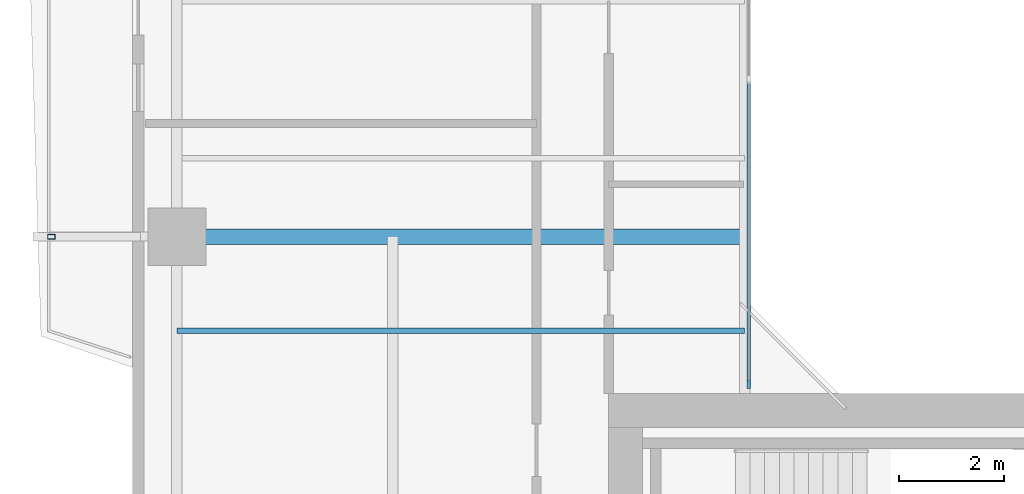
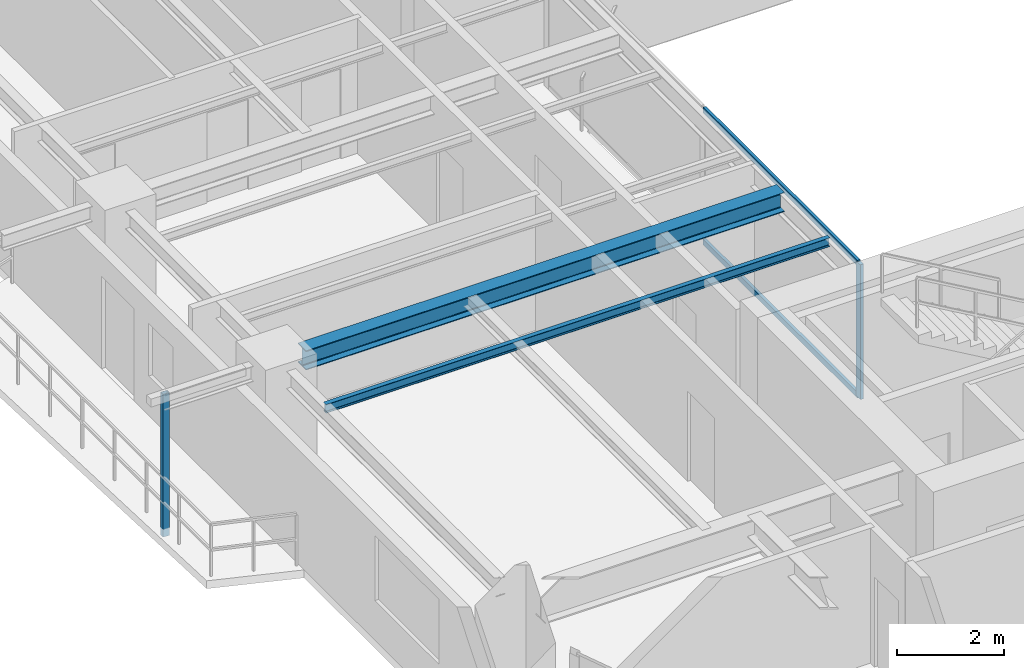
# One storey, part 3 of 17: 4 members, 2 beams, 1 element without a shape of its own.
"""IFC4 building model written with IfcOpenShell, lengths in metres."""

import ifcopenshell
import ifcopenshell.guid

model = None  # the IFC model being written
_history = None  # IfcOwnerHistory: only IFC2X3 demands one
_inside = {}  # id of a spatial element -> (the spatial element, [elements in it])
_under = {}  # id of a project, library or spatial element -> (it, [spatial elements below it])
_declared = {}  # id of a project -> (the project, [libraries it declares])
_typed = {}  # id of a type object -> (the type object, [elements of that type])
_made_of = {}  # id of a material, layer set ... -> (it, [elements and type objects made of it])


def new_model(schema):
    """Start an empty IFC model of exactly this schema.

    Asked for "IFC4X3", IfcOpenShell would pick the latest addendum, in which some entities
    have other attributes; the version numbers below select the first issue.
    IFC2X3 requires an IfcOwnerHistory on every rooted entity: one is made here for all.
    """
    global model, _history
    if schema == "IFC4X3":
        model = ifcopenshell.file(schema_version=(4, 3, 0, 0))
    else:
        model = ifcopenshell.file(schema=schema)
    _inside.clear()
    _under.clear()
    _declared.clear()
    _typed.clear()
    _made_of.clear()
    _history = None
    if model.schema == "IFC2X3":
        org = make("IfcOrganization", Name="unknown")
        user = make(
            "IfcPersonAndOrganization",
            ThePerson=make("IfcPerson", FamilyName="unknown"),
            TheOrganization=org,
        )
        app = make(
            "IfcApplication",
            ApplicationDeveloper=org,
            Version="unknown",
            ApplicationFullName="unknown",
            ApplicationIdentifier="unknown",
        )
        _history = make(
            "IfcOwnerHistory",
            OwningUser=user,
            OwningApplication=app,
            ChangeAction="ADDED",
            CreationDate=0,
        )
    return model


def make(cls, **values):
    """One entity of the class cls with the attributes given. An attribute that is None is left unset."""
    return model.create_entity(
        cls, **{name: value for name, value in values.items() if value is not None}
    )


def rooted(cls, **values):
    """An entity with a GlobalId (a new one), such as an element, a storey or a relation."""
    return make(cls, GlobalId=ifcopenshell.guid.new(), OwnerHistory=_history, **values)


def si_unit(unit_type, name, prefix=None):
    """IfcSIUnit, for example si_unit("LENGTHUNIT", "METRE", prefix="MILLI")."""
    return make("IfcSIUnit", UnitType=unit_type, Prefix=prefix, Name=name)


def assignment(units):
    """IfcUnitAssignment: the units of a project."""
    return None if units is None else make("IfcUnitAssignment", Units=units)


def point(xyz):
    """IfcCartesianPoint."""
    return None if xyz is None else make("IfcCartesianPoint", Coordinates=xyz)


def direction(xyz):
    """IfcDirection."""
    return None if xyz is None else make("IfcDirection", DirectionRatios=xyz)


def frame(location, z_axis=None, x_axis=None):
    """IfcAxis2Placement3D, a coordinate frame: its origin and axes. An axis left out is left unset."""
    return make(
        "IfcAxis2Placement3D",
        Location=point(location),
        Axis=direction(z_axis),
        RefDirection=direction(x_axis),
    )


def frame_2d(location, x_axis=None):
    """IfcAxis2Placement2D, a coordinate frame in the plane: its origin and x axis."""
    return make(
        "IfcAxis2Placement2D", Location=point(location), RefDirection=direction(x_axis)
    )


def origin():
    """The frame at (0, 0, 0) with its axes left unset."""
    return frame((0.0, 0.0, 0.0))


def origin_2d():
    """The frame at (0, 0) in the plane with its x axis left unset."""
    return frame_2d((0.0, 0.0))


def place(relative_to, where):
    """IfcLocalPlacement: puts the frame where relative to a parent placement (None: the world)."""
    return make(
        "IfcLocalPlacement", PlacementRelTo=relative_to, RelativePlacement=where
    )


def context(
    kind, dimensions, precision=None, world=None, true_north=None, identifier=None
):
    """IfcGeometricRepresentationContext, for example the 3D "Model" context."""
    return make(
        "IfcGeometricRepresentationContext",
        ContextIdentifier=identifier,
        ContextType=kind,
        CoordinateSpaceDimension=dimensions,
        Precision=precision,
        WorldCoordinateSystem=world,
        TrueNorth=true_north,
    )


def subcontext(parent, identifier, kind, view, scale=None):
    """IfcGeometricRepresentationSubContext, for example "Body" below "Model"."""
    return make(
        "IfcGeometricRepresentationSubContext",
        ContextIdentifier=identifier,
        ContextType=kind,
        ParentContext=parent,
        TargetScale=scale,
        TargetView=view,
    )


def project(units=None, contexts=None):
    """IfcProject with its units and contexts."""
    return rooted(
        "IfcProject",
        Name="project",
        RepresentationContexts=contexts,
        UnitsInContext=assignment(units),
    )


def spatial(cls, under=None, at=None, **own):
    """A site, building, storey or space (cls), placed at a placement, below another one or the project."""
    s = rooted(cls, ObjectPlacement=at, **own)
    if under is not None:
        _under.setdefault(under.id(), (under, []))[1].append(s)
    return s


def profile(cls, at=None, kind="AREA", **sizes):
    """A parametric profile (cls). Its sizes go by their IFC names, for example OverallWidth=200.0."""
    return make(cls, ProfileType=kind, Position=at, **sizes)


def rectangle(**sizes):
    """IfcRectangleProfileDef."""
    return profile("IfcRectangleProfileDef", **sizes)


def hollow_rectangle(**sizes):
    """IfcRectangleHollowProfileDef."""
    return profile("IfcRectangleHollowProfileDef", **sizes)


def i_section(**sizes):
    """IfcIShapeProfileDef."""
    return profile("IfcIShapeProfileDef", **sizes)


def extrude(swept, where, along, depth):
    """IfcExtrudedAreaSolid: the profile swept, set in the frame where, extruded along a direction by depth."""
    return make(
        "IfcExtrudedAreaSolid",
        SweptArea=swept,
        Position=where,
        ExtrudedDirection=direction(along),
        Depth=depth,
    )


def shape(context_of_items, identifier, shape_type, items):
    """IfcShapeRepresentation: the items that make up one representation, for example the "Body"."""
    return make(
        "IfcShapeRepresentation",
        ContextOfItems=context_of_items,
        RepresentationIdentifier=identifier,
        RepresentationType=shape_type,
        Items=items,
    )


def source(mapping_origin, context_of_items, identifier, shape_type, items):
    """IfcRepresentationMap: a shape defined once, which mapped items show again and again."""
    return make(
        "IfcRepresentationMap",
        MappingOrigin=mapping_origin,
        MappedRepresentation=shape(context_of_items, identifier, shape_type, items),
    )


def transform(
    local_origin,
    x_axis=None,
    y_axis=None,
    z_axis=None,
    scale=None,
    scale2=None,
    scale3=None,
    uniform=True,
):
    """IfcCartesianTransformationOperator3D, or its non-uniform kind. x_axis, y_axis, z_axis: its Axis1, 2, 3."""
    if uniform:
        return make(
            "IfcCartesianTransformationOperator3D",
            Axis1=direction(x_axis),
            Axis2=direction(y_axis),
            LocalOrigin=point(local_origin),
            Scale=scale,
            Axis3=direction(z_axis),
        )
    return make(
        "IfcCartesianTransformationOperator3DnonUniform",
        Axis1=direction(x_axis),
        Axis2=direction(y_axis),
        LocalOrigin=point(local_origin),
        Scale=scale,
        Axis3=direction(z_axis),
        Scale2=scale2,
        Scale3=scale3,
    )


def mapped(mapping_source, mapping_target):
    """IfcMappedItem: shows the shape of a source again, moved by a transform."""
    return make(
        "IfcMappedItem", MappingSource=mapping_source, MappingTarget=mapping_target
    )


def material(Name=None, Category=None):
    """IfcMaterial."""
    return make("IfcMaterial", Name=Name, Category=Category)


def layer(
    of_material, thickness, ventilated=None, Name=None, Category=None, Priority=None
):
    """IfcMaterialLayer: one layer of a wall or slab, of a material (None: an air gap)."""
    return make(
        "IfcMaterialLayer",
        Material=of_material,
        LayerThickness=thickness,
        IsVentilated=ventilated,
        Name=Name,
        Category=Category,
        Priority=Priority,
    )


def layer_set(layers, Name=None):
    """IfcMaterialLayerSet."""
    return make("IfcMaterialLayerSet", MaterialLayers=layers, LayerSetName=Name)


def material_profile(
    of_material, cross_section, Name=None, Category=None, Priority=None
):
    """IfcMaterialProfile: a cross section and its material."""
    return make(
        "IfcMaterialProfile",
        Name=Name,
        Material=of_material,
        Profile=cross_section,
        Priority=Priority,
        Category=Category,
    )


def profile_set(profiles, Name=None, composite=None):
    """IfcMaterialProfileSet."""
    return make(
        "IfcMaterialProfileSet",
        Name=Name,
        MaterialProfiles=profiles,
        CompositeProfile=composite,
    )


def made_of(thing, what):
    """Note that an element or type object is made of a material, layer set ...; save() writes the relation."""
    if what is not None:
        _made_of.setdefault(what.id(), (what, []))[1].append(thing)
    return thing


def type_object(cls, material=None, **own):
    """A type object (cls), such as IfcWallType, which elements share."""
    return made_of(rooted(cls, **own), material)


def element(
    cls,
    number,
    at=None,
    inside=None,
    cuts=None,
    type_object=None,
    material=None,
    context=None,
    identifier="Body",
    shape_type=None,
    held_by="IfcProductDefinitionShape",
    body=None,
    shapes=None,
    **own,
):
    """One element of the class cls, such as IfcWall. Its Tag is "e" and its number.

    at: its placement. inside: the storey or other place that contains it. cuts: it is an
    opening in that element (IfcRelVoidsElement). A single representation is given by context,
    identifier, shape_type and body (its items); several are given by shapes. held_by: the class
    of the entity that holds the representations. save() writes the other relations.
    """
    e = rooted(cls, Tag="e%d" % number, ObjectPlacement=at, **own)
    if body is not None:
        shapes = [shape(context, identifier, shape_type, body)]
    if shapes is not None:
        e.Representation = make(held_by, Representations=shapes)
    if inside is not None:
        _inside.setdefault(inside.id(), (inside, []))[1].append(e)
    if cuts is not None:
        rooted(
            "IfcRelVoidsElement", RelatingBuildingElement=cuts, RelatedOpeningElement=e
        )
    if type_object is not None:
        _typed.setdefault(type_object.id(), (type_object, []))[1].append(e)
    return made_of(e, material)


def aggregate(whole, parts):
    """IfcRelAggregates: a whole, such as a stair, and the parts it consists of."""
    return rooted("IfcRelAggregates", RelatingObject=whole, RelatedObjects=parts)


def save(model, path):
    """Write the relations noted so far, then the file.

    IfcRelAggregates (storeys below a building ...), IfcRelContainedInSpatialStructure (elements
    in a storey), IfcRelDefinesByType, IfcRelAssociatesMaterial and IfcRelDeclares: one each for
    every whole, place, type object, material and project.
    """
    for whole, parts in _under.values():
        aggregate(whole, parts)
    for where, things in _inside.values():
        rooted(
            "IfcRelContainedInSpatialStructure",
            RelatedElements=things,
            RelatingStructure=where,
        )
    for kind, things in _typed.values():
        rooted("IfcRelDefinesByType", RelatedObjects=things, RelatingType=kind)
    for what, things in _made_of.values():
        rooted("IfcRelAssociatesMaterial", RelatedObjects=things, RelatingMaterial=what)
    for by, libraries in _declared.values():
        rooted("IfcRelDeclares", RelatingContext=by, RelatedDefinitions=libraries)
    model.write(path)


model = new_model("IFC4")

# Units and contexts
model_context = context("Model", 3, precision=1e-05, world=origin(), true_north=direction((0.0, 1.0)))
body_context = subcontext(model_context, "Body", "Model", "MODEL_VIEW")
ifc_project = project(units=[si_unit("LENGTHUNIT", "METRE"), si_unit("AREAUNIT", "SQUARE_METRE"), si_unit("VOLUMEUNIT", "CUBIC_METRE"), si_unit("PLANEANGLEUNIT", "RADIAN"), si_unit("MASSUNIT", "GRAM", prefix="KILO"), si_unit("THERMODYNAMICTEMPERATUREUNIT", "KELVIN"), si_unit("POWERUNIT", "WATT")], contexts=[model_context])

# Site, building, storey
site_placement = place(None, origin())
site = spatial("IfcSite", under=ifc_project, at=site_placement, CompositionType="ELEMENT")
building_placement = place(site_placement, origin())
building = spatial("IfcBuilding", under=site, at=building_placement, Name="Qiaomeng Ring Towers", CompositionType="ELEMENT")
storey_placement = place(building_placement, frame((0.0, 0.0, 132.75)))
storey = spatial("IfcBuildingStorey", under=building, at=storey_placement, Name="L38", CompositionType="ELEMENT", Elevation=132.75)

# Beams
ifc_material_1 = material(Name="Steel Q355B", Category="steel")
ifc_material_profile_1 = material_profile(ifc_material_1, i_section(OverallWidth=0.300048828125, OverallDepth=0.43994140625, WebThickness=0.010986328125, FlangeThickness=0.01806640625, FilletRadius=0.02392578125, at=origin_2d()), Name="HM 440x300x11x18")
ifc_profile_set_1 = profile_set([ifc_material_profile_1], Name="Steel Q355B")
beam_type_1 = type_object("IfcBeamType", Name="STR-BM-HM440", PredefinedType="BEAM", material=ifc_profile_set_1)
shared_shape_1 = source(origin(), body_context, "Body", "SweptSolid", [
    extrude(i_section(OverallWidth=0.300048828125, OverallDepth=0.43994140625, WebThickness=0.010986328125, FlangeThickness=0.01806640625, FilletRadius=0.02392578125, at=origin_2d()), origin(), (0.0, 0.0, 1.0), 10.301025390625),
])
beam_1_placement = place(storey_placement, frame((2.4990234375, 20.0, 2.85009765625), z_axis=(1.0, 0.0, 0.0), x_axis=(0.0, 1.0, 0.0)))
element("IfcBeam", 1, at=beam_1_placement, inside=storey, type_object=beam_type_1, Name="L38 beam STR-BM-L38-T1-RAD-W2", PredefinedType="BEAM", context=body_context, shape_type="MappedRepresentation", body=[
    mapped(shared_shape_1, transform((0.0, 0.0, 0.0), x_axis=(1.0, 0.0, 0.0), y_axis=(0.0, 1.0, 0.0), z_axis=(0.0, 0.0, 1.0), scale=1.0)),
])
ifc_material_profile_2 = material_profile(ifc_material_1, i_section(OverallWidth=0.10009765625, OverallDepth=0.199951171875, WebThickness=0.005615234375, FlangeThickness=0.008056640625, FilletRadius=0.010986328125, at=origin_2d()), Name="HN 200x100x5.5x8")
ifc_profile_set_2 = profile_set([ifc_material_profile_2], Name="Steel Q355B")
beam_type_2 = type_object("IfcBeamType", Name="STR-BM-HN200", PredefinedType="JOIST", material=ifc_profile_set_2)
shared_shape_2 = source(origin(), body_context, "Body", "SweptSolid", [
    extrude(i_section(OverallWidth=0.10009765625, OverallDepth=0.199951171875, WebThickness=0.005615234375, FlangeThickness=0.008056640625, FilletRadius=0.010986328125, at=origin_2d()), origin(), (0.0, 0.0, 1.0), 10.85009765625),
])
beam_2_placement = place(storey_placement, frame((1.949951171875, 18.199951171875, 2.969970703125), z_axis=(1.0, 0.0, 0.0), x_axis=(0.0, 1.0, 0.0)))
element("IfcBeam", 2, at=beam_2_placement, inside=storey, type_object=beam_type_2, Name="L38 beam STR-JST-L38-T1W-1", PredefinedType="JOIST", context=body_context, shape_type="MappedRepresentation", body=[
    mapped(shared_shape_2, transform((0.0, 0.0, 0.0), x_axis=(1.0, 0.0, 0.0), y_axis=(0.0, 1.0, 0.0), z_axis=(0.0, 0.0, 1.0), scale=1.0)),
])

# Curtain wall, members
ifc_material_2 = material(Name="Fluorocarbon dark-grey aluminium", Category="aluminium")
ifc_layer = layer(ifc_material_2, 0.139892578125, Name="Fluorocarbon dark-grey aluminium")
ifc_layer_set = layer_set([ifc_layer], Name="Fluorocarbon dark-grey aluminium")
curtain_wall_type = type_object("IfcCurtainWallType", Name="ARC-CW-4", PredefinedType="NOTDEFINED", material=ifc_layer_set)
curtain_wall_placement = place(storey_placement, origin())
curtain_wall = element("IfcCurtainWall", 3, at=curtain_wall_placement, inside=storey, type_object=curtain_wall_type, Name="L38 Curtain Wall CW4", PredefinedType="NOTDEFINED")
ifc_material_profile_3 = material_profile(ifc_material_2, rectangle(XDim=0.06494140625, YDim=0.159912109375, at=origin_2d()), Name="ALU MULL 65x160")
ifc_profile_set_3 = profile_set([ifc_material_profile_3], Name="Fluorocarbon dark-grey aluminium")
member_type_1 = type_object("IfcMemberType", Name="ARC-CWM-140", PredefinedType="MULLION", material=ifc_profile_set_3)
shared_shape_3 = source(origin(), body_context, "Body", "SweptSolid", [
    extrude(rectangle(XDim=0.06494140625, YDim=0.159912109375, at=origin_2d()), origin(), (0.0, 0.0, 1.0), 3.070068359375),
])
member_1_placement = place(storey_placement, frame((12.8798828125, 17.1826171875, 0.0), z_axis=(0.0, 0.0, 1.0), x_axis=(-1.0, 0.0, 0.0)))
member_1 = element("IfcMember", 4, at=member_1_placement, type_object=member_type_1, Name="CW4 mullion 1", PredefinedType="MULLION", context=body_context, shape_type="MappedRepresentation", body=[
    mapped(shared_shape_3, transform((0.0, 0.0, 0.0), x_axis=(1.0, 0.0, 0.0), y_axis=(0.0, 1.0, 0.0), z_axis=(0.0, 0.0, 1.0), scale=1.0)),
])
ifc_material_profile_4 = material_profile(ifc_material_2, rectangle(XDim=0.06494140625, YDim=0.1298828125, at=origin_2d()), Name="ALU TRAN 65x130")
ifc_profile_set_4 = profile_set([ifc_material_profile_4], Name="Fluorocarbon dark-grey aluminium")
member_type_2 = type_object("IfcMemberType", Name="ARC-CWT-120", PredefinedType="USERDEFINED", material=ifc_profile_set_4)
shared_shape_4 = source(origin(), body_context, "Body", "SweptSolid", [
    extrude(rectangle(XDim=0.06494140625, YDim=0.1298828125, at=origin_2d()), origin(), (0.0, 0.0, 1.0), 5.75244140625),
])
member_2_placement = place(storey_placement, frame((12.8798828125, 17.215087890625, 0.032470703125), z_axis=(0.0, 1.0, 0.0), x_axis=(-1.0, 0.0, 0.0)))
member_2 = element("IfcMember", 5, at=member_2_placement, type_object=member_type_2, Name="CW4 transom 1.1", ObjectType="TRANSOM", PredefinedType="USERDEFINED", context=body_context, shape_type="MappedRepresentation", body=[
    mapped(shared_shape_4, transform((0.0, 0.0, 0.0), x_axis=(1.0, 0.0, 0.0), y_axis=(0.0, 1.0, 0.0), z_axis=(0.0, 0.0, 1.0), scale=1.0)),
])
member_3_placement = place(storey_placement, frame((12.8798828125, 17.215087890625, 3.03759765625), z_axis=(0.0, 1.0, 0.0), x_axis=(-1.0, 0.0, 0.0)))
member_3 = element("IfcMember", 6, at=member_3_placement, type_object=member_type_2, Name="CW4 transom 1.2", ObjectType="TRANSOM", PredefinedType="USERDEFINED", context=body_context, shape_type="MappedRepresentation", body=[
    mapped(shared_shape_4, transform((0.0, 0.0, 0.0), x_axis=(1.0, 0.0, 0.0), y_axis=(0.0, 1.0, 0.0), z_axis=(0.0, 0.0, 1.0), scale=1.0)),
])
aggregate(curtain_wall, [member_1, member_2, member_3])

# Member
ifc_material_3 = material(Name="Stainless steel 316", Category="steel")
ifc_material_profile_5 = material_profile(ifc_material_3, hollow_rectangle(XDim=0.090087890625, YDim=0.139892578125, WallThickness=0.0048828125, at=origin_2d()), Name="SS TRELLIS 90x140")
ifc_profile_set_5 = profile_set([ifc_material_profile_5], Name="Stainless steel 316")
member_type_3 = type_object("IfcMemberType", Name="ARC-TR-POST1", PredefinedType="STUD", material=ifc_profile_set_5)
shared_shape_5 = source(origin(), body_context, "Body", "SweptSolid", [
    extrude(hollow_rectangle(XDim=0.090087890625, YDim=0.139892578125, WallThickness=0.0048828125, at=origin_2d()), origin(), (0.0, 0.0, 1.0), 3.25),
])
member_4_placement = place(storey_placement, frame((-0.449951171875, 20.0, -0.179931640625), z_axis=(0.0, 0.0, 1.0), x_axis=(0.0, 1.0, 0.0)))
element("IfcMember", 7, at=member_4_placement, inside=storey, type_object=member_type_3, Name="L38 Outer Ventilated Trellis Post W", PredefinedType="STUD", context=body_context, shape_type="MappedRepresentation", body=[
    mapped(shared_shape_5, transform((0.0, 0.0, 0.0), x_axis=(1.0, 0.0, 0.0), y_axis=(0.0, 1.0, 0.0), z_axis=(0.0, 0.0, 1.0), scale=1.0)),
])

save(model, "model.ifc")
